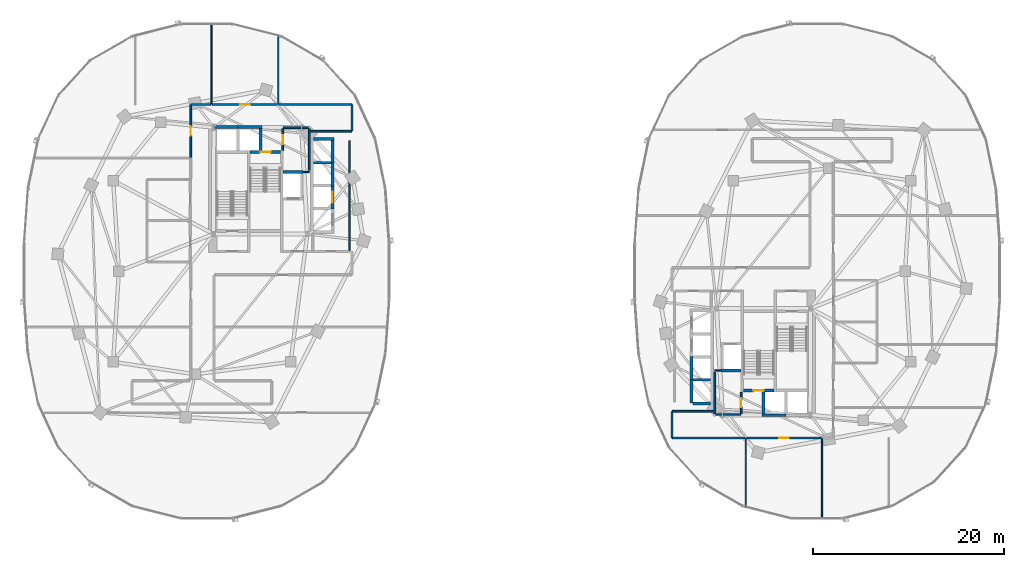
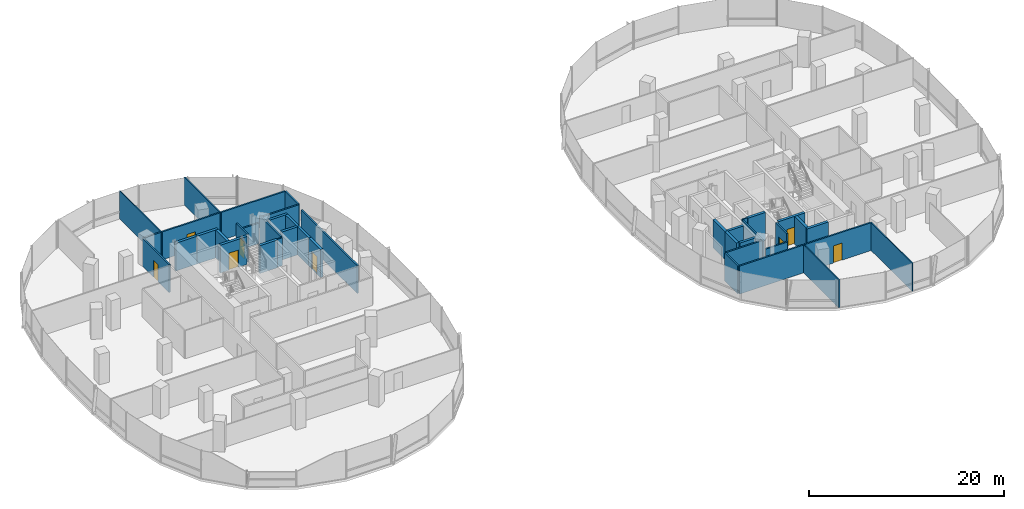
# One storey, part 12 of 21: 41 walls, 8 doors, 8 openings.
"""IFC4 building model written with IfcOpenShell, lengths in metres."""

import ifcopenshell
import ifcopenshell.guid

model = None  # the IFC model being written
_history = None  # IfcOwnerHistory: only IFC2X3 demands one
_inside = {}  # id of a spatial element -> (the spatial element, [elements in it])
_under = {}  # id of a project, library or spatial element -> (it, [spatial elements below it])
_declared = {}  # id of a project -> (the project, [libraries it declares])
_typed = {}  # id of a type object -> (the type object, [elements of that type])
_made_of = {}  # id of a material, layer set ... -> (it, [elements and type objects made of it])


def new_model(schema):
    """Start an empty IFC model of exactly this schema.

    Asked for "IFC4X3", IfcOpenShell would pick the latest addendum, in which some entities
    have other attributes; the version numbers below select the first issue.
    IFC2X3 requires an IfcOwnerHistory on every rooted entity: one is made here for all.
    """
    global model, _history
    if schema == "IFC4X3":
        model = ifcopenshell.file(schema_version=(4, 3, 0, 0))
    else:
        model = ifcopenshell.file(schema=schema)
    _inside.clear()
    _under.clear()
    _declared.clear()
    _typed.clear()
    _made_of.clear()
    _history = None
    if model.schema == "IFC2X3":
        org = make("IfcOrganization", Name="unknown")
        user = make(
            "IfcPersonAndOrganization",
            ThePerson=make("IfcPerson", FamilyName="unknown"),
            TheOrganization=org,
        )
        app = make(
            "IfcApplication",
            ApplicationDeveloper=org,
            Version="unknown",
            ApplicationFullName="unknown",
            ApplicationIdentifier="unknown",
        )
        _history = make(
            "IfcOwnerHistory",
            OwningUser=user,
            OwningApplication=app,
            ChangeAction="ADDED",
            CreationDate=0,
        )
    return model


def make(cls, **values):
    """One entity of the class cls with the attributes given. An attribute that is None is left unset."""
    return model.create_entity(
        cls, **{name: value for name, value in values.items() if value is not None}
    )


def rooted(cls, **values):
    """An entity with a GlobalId (a new one), such as an element, a storey or a relation."""
    return make(cls, GlobalId=ifcopenshell.guid.new(), OwnerHistory=_history, **values)


def si_unit(unit_type, name, prefix=None):
    """IfcSIUnit, for example si_unit("LENGTHUNIT", "METRE", prefix="MILLI")."""
    return make("IfcSIUnit", UnitType=unit_type, Prefix=prefix, Name=name)


def assignment(units):
    """IfcUnitAssignment: the units of a project."""
    return None if units is None else make("IfcUnitAssignment", Units=units)


def point(xyz):
    """IfcCartesianPoint."""
    return None if xyz is None else make("IfcCartesianPoint", Coordinates=xyz)


def direction(xyz):
    """IfcDirection."""
    return None if xyz is None else make("IfcDirection", DirectionRatios=xyz)


def frame(location, z_axis=None, x_axis=None):
    """IfcAxis2Placement3D, a coordinate frame: its origin and axes. An axis left out is left unset."""
    return make(
        "IfcAxis2Placement3D",
        Location=point(location),
        Axis=direction(z_axis),
        RefDirection=direction(x_axis),
    )


def frame_2d(location, x_axis=None):
    """IfcAxis2Placement2D, a coordinate frame in the plane: its origin and x axis."""
    return make(
        "IfcAxis2Placement2D", Location=point(location), RefDirection=direction(x_axis)
    )


def origin():
    """The frame at (0, 0, 0) with its axes left unset."""
    return frame((0.0, 0.0, 0.0))


def place(relative_to, where):
    """IfcLocalPlacement: puts the frame where relative to a parent placement (None: the world)."""
    return make(
        "IfcLocalPlacement", PlacementRelTo=relative_to, RelativePlacement=where
    )


def context(
    kind, dimensions, precision=None, world=None, true_north=None, identifier=None
):
    """IfcGeometricRepresentationContext, for example the 3D "Model" context."""
    return make(
        "IfcGeometricRepresentationContext",
        ContextIdentifier=identifier,
        ContextType=kind,
        CoordinateSpaceDimension=dimensions,
        Precision=precision,
        WorldCoordinateSystem=world,
        TrueNorth=true_north,
    )


def subcontext(parent, identifier, kind, view, scale=None):
    """IfcGeometricRepresentationSubContext, for example "Body" below "Model"."""
    return make(
        "IfcGeometricRepresentationSubContext",
        ContextIdentifier=identifier,
        ContextType=kind,
        ParentContext=parent,
        TargetScale=scale,
        TargetView=view,
    )


def project(units=None, contexts=None):
    """IfcProject with its units and contexts."""
    return rooted(
        "IfcProject",
        Name="project",
        RepresentationContexts=contexts,
        UnitsInContext=assignment(units),
    )


def spatial(cls, under=None, at=None, **own):
    """A site, building, storey or space (cls), placed at a placement, below another one or the project."""
    s = rooted(cls, ObjectPlacement=at, **own)
    if under is not None:
        _under.setdefault(under.id(), (under, []))[1].append(s)
    return s


def profile(cls, at=None, kind="AREA", **sizes):
    """A parametric profile (cls). Its sizes go by their IFC names, for example OverallWidth=200.0."""
    return make(cls, ProfileType=kind, Position=at, **sizes)


def rectangle(**sizes):
    """IfcRectangleProfileDef."""
    return profile("IfcRectangleProfileDef", **sizes)


def extrude(swept, where, along, depth):
    """IfcExtrudedAreaSolid: the profile swept, set in the frame where, extruded along a direction by depth."""
    return make(
        "IfcExtrudedAreaSolid",
        SweptArea=swept,
        Position=where,
        ExtrudedDirection=direction(along),
        Depth=depth,
    )


def shape(context_of_items, identifier, shape_type, items):
    """IfcShapeRepresentation: the items that make up one representation, for example the "Body"."""
    return make(
        "IfcShapeRepresentation",
        ContextOfItems=context_of_items,
        RepresentationIdentifier=identifier,
        RepresentationType=shape_type,
        Items=items,
    )


def material(Name=None, Category=None):
    """IfcMaterial."""
    return make("IfcMaterial", Name=Name, Category=Category)


def layer(
    of_material, thickness, ventilated=None, Name=None, Category=None, Priority=None
):
    """IfcMaterialLayer: one layer of a wall or slab, of a material (None: an air gap)."""
    return make(
        "IfcMaterialLayer",
        Material=of_material,
        LayerThickness=thickness,
        IsVentilated=ventilated,
        Name=Name,
        Category=Category,
        Priority=Priority,
    )


def layer_set(layers, Name=None):
    """IfcMaterialLayerSet."""
    return make("IfcMaterialLayerSet", MaterialLayers=layers, LayerSetName=Name)


def made_of(thing, what):
    """Note that an element or type object is made of a material, layer set ...; save() writes the relation."""
    if what is not None:
        _made_of.setdefault(what.id(), (what, []))[1].append(thing)
    return thing


def type_object(cls, material=None, **own):
    """A type object (cls), such as IfcWallType, which elements share."""
    return made_of(rooted(cls, **own), material)


def element(
    cls,
    number,
    at=None,
    inside=None,
    cuts=None,
    type_object=None,
    material=None,
    context=None,
    identifier="Body",
    shape_type=None,
    held_by="IfcProductDefinitionShape",
    body=None,
    shapes=None,
    **own,
):
    """One element of the class cls, such as IfcWall. Its Tag is "e" and its number.

    at: its placement. inside: the storey or other place that contains it. cuts: it is an
    opening in that element (IfcRelVoidsElement). A single representation is given by context,
    identifier, shape_type and body (its items); several are given by shapes. held_by: the class
    of the entity that holds the representations. save() writes the other relations.
    """
    e = rooted(cls, Tag="e%d" % number, ObjectPlacement=at, **own)
    if body is not None:
        shapes = [shape(context, identifier, shape_type, body)]
    if shapes is not None:
        e.Representation = make(held_by, Representations=shapes)
    if inside is not None:
        _inside.setdefault(inside.id(), (inside, []))[1].append(e)
    if cuts is not None:
        rooted(
            "IfcRelVoidsElement", RelatingBuildingElement=cuts, RelatedOpeningElement=e
        )
    if type_object is not None:
        _typed.setdefault(type_object.id(), (type_object, []))[1].append(e)
    return made_of(e, material)


def fill(opening, filler):
    """IfcRelFillsElement: the door or window that sits in an opening."""
    return rooted(
        "IfcRelFillsElement",
        RelatingOpeningElement=opening,
        RelatedBuildingElement=filler,
    )


def aggregate(whole, parts):
    """IfcRelAggregates: a whole, such as a stair, and the parts it consists of."""
    return rooted("IfcRelAggregates", RelatingObject=whole, RelatedObjects=parts)


def save(model, path):
    """Write the relations noted so far, then the file.

    IfcRelAggregates (storeys below a building ...), IfcRelContainedInSpatialStructure (elements
    in a storey), IfcRelDefinesByType, IfcRelAssociatesMaterial and IfcRelDeclares: one each for
    every whole, place, type object, material and project.
    """
    for whole, parts in _under.values():
        aggregate(whole, parts)
    for where, things in _inside.values():
        rooted(
            "IfcRelContainedInSpatialStructure",
            RelatedElements=things,
            RelatingStructure=where,
        )
    for kind, things in _typed.values():
        rooted("IfcRelDefinesByType", RelatedObjects=things, RelatingType=kind)
    for what, things in _made_of.values():
        rooted("IfcRelAssociatesMaterial", RelatedObjects=things, RelatingMaterial=what)
    for by, libraries in _declared.values():
        rooted("IfcRelDeclares", RelatingContext=by, RelatedDefinitions=libraries)
    model.write(path)


model = new_model("IFC4")

# Units and contexts
model_context = context("Model", 3, precision=1e-05, world=origin(), true_north=direction((0.0, 1.0)))
body_context = subcontext(model_context, "Body", "Model", "MODEL_VIEW")
ifc_project = project(units=[si_unit("LENGTHUNIT", "METRE"), si_unit("AREAUNIT", "SQUARE_METRE"), si_unit("VOLUMEUNIT", "CUBIC_METRE"), si_unit("PLANEANGLEUNIT", "RADIAN"), si_unit("MASSUNIT", "GRAM", prefix="KILO"), si_unit("THERMODYNAMICTEMPERATUREUNIT", "KELVIN"), si_unit("POWERUNIT", "WATT")], contexts=[model_context])

# Site, building, storey
site_placement = place(None, origin())
site = spatial("IfcSite", under=ifc_project, at=site_placement, CompositionType="ELEMENT")
building_placement = place(site_placement, origin())
building = spatial("IfcBuilding", under=site, at=building_placement, Name="Cundina Bronze Exchange", CompositionType="ELEMENT")
storey_placement = place(building_placement, frame((0.0, 0.0, 62.0)))
storey = spatial("IfcBuildingStorey", under=building, at=storey_placement, Name="L15", CompositionType="ELEMENT", Elevation=62.0)

# Walls
ifc_material_1 = material(Name="Gypsum Fireboard Partition EI120")
ifc_layer_1 = layer(ifc_material_1, 0.179931640625, Name="Gypsum Fireboard Partition EI120")
ifc_layer_set_1 = layer_set([ifc_layer_1], Name="Gypsum Fireboard Partition EI120")
wall_type_1 = type_object("IfcWallType", Name="WL-COR-180", PredefinedType="PARTITIONING", material=ifc_layer_set_1)
wall_1_placement = place(storey_placement, frame((-17.02001953125, 2.169921875, 0.0), z_axis=(0.0, 0.0, 1.0), x_axis=(0.0, 1.0, 0.0)))
element("IfcWall", 1, at=wall_1_placement, inside=storey, type_object=wall_type_1, Name="L15 Interior Partition 001", PredefinedType="PARTITIONING", context=body_context, shape_type="SweptSolid", body=[
    extrude(rectangle(XDim=11.510009765625, YDim=0.179931640625, at=frame_2d((5.7548828125, 0.0))), origin(), (0.0, 0.0, 1.0), 3.5),
])
wall_2_placement = place(storey_placement, frame((-21.25, 10.570068359375, 0.0), z_axis=(0.0, 0.0, 1.0), x_axis=(0.0, 1.0, 0.0)))
element("IfcWall", 2, at=wall_2_placement, inside=storey, type_object=wall_type_1, Name="L15 Interior Partition 004", PredefinedType="PARTITIONING", context=body_context, shape_type="SweptSolid", body=[
    extrude(rectangle(XDim=4.35986328125, YDim=0.179931640625, at=frame_2d((2.179931640625, 0.0))), origin(), (0.0, 0.0, 1.0), 3.5),
])
wall_3_placement = place(storey_placement, frame((-23.9599609375, 15.030029296875, 0.0), z_axis=(0.0, 0.0, 1.0), x_axis=(1.0, 0.0, 0.0)))
element("IfcWall", 3, at=wall_3_placement, inside=storey, type_object=wall_type_1, Name="L15 Interior Partition 005", PredefinedType="PARTITIONING", context=body_context, shape_type="SweptSolid", body=[
    extrude(rectangle(XDim=2.60986328125, YDim=0.179931640625, at=frame_2d((1.304931640625, 0.0))), origin(), (0.0, 0.0, 1.0), 2.572998046875),
])

# Wall, opening, door
wall_4_placement = place(storey_placement, frame((-24.02001953125, 12.669921875, 0.0), z_axis=(0.0, 0.0, 1.0), x_axis=(0.0, 1.0, 0.0)))
wall_4 = element("IfcWall", 4, at=wall_4_placement, inside=storey, type_object=wall_type_1, Name="L15 Interior Partition 006", PredefinedType="PARTITIONING", context=body_context, shape_type="SweptSolid", body=[
    extrude(rectangle(XDim=2.260009765625, YDim=0.179931640625, at=frame_2d((1.1298828125, 0.0))), origin(), (0.0, 0.0, 1.0), 3.5),
])
opening_1_placement = place(wall_4_placement, frame((0.655029296875, 0.0, 0.0)))
opening_1 = element("IfcOpeningElement", 5, at=opening_1_placement, cuts=wall_4, Name="Opening DW-01", PredefinedType="OPENING", context=body_context, shape_type="SweptSolid", body=[
    extrude(rectangle(XDim=0.949951171875, YDim=2.10009765625, at=frame_2d((0.47509765625, 1.050048828125))), frame((0.0, 0.099853515625, 0.0), z_axis=(0.0, -1.0, 0.0), x_axis=(1.0, 0.0, 0.0)), (0.0, 0.0, 1.0), 0.199951171875),
])
ifc_material_2 = material(Name="Solid Andean Oak Timber Grade A", Category="wood")
door_type_1 = type_object("IfcDoorType", Name="DR-WC-950", OperationType="NOTDEFINED", PredefinedType="DOOR", material=ifc_material_2)
door_1_placement = place(opening_1_placement, origin())
door_1 = element("IfcDoor", 6, at=door_1_placement, inside=storey, type_object=door_type_1, Name="L15 Interior Door 006", OperationType="SINGLE_SWING_RIGHT", OverallHeight=2.10009765625, OverallWidth=0.949951171875, PredefinedType="DOOR", context=body_context, shape_type="SweptSolid", body=[
    extrude(rectangle(XDim=0.949951171875, YDim=2.10009765625, at=frame_2d((0.47509765625, 1.050048828125))), frame((0.0, 0.02490234375, 0.0), z_axis=(0.0, -1.0, 0.0), x_axis=(1.0, 0.0, 0.0)), (0.0, 0.0, 1.0), 0.050048828125),
])
fill(opening_1, door_1)

# Walls
wall_5_placement = place(storey_placement, frame((-16.821533203125, 17.469970703125, 0.0), z_axis=(0.0, 0.0, 1.0), x_axis=(-1.0, 0.0, 0.0)))
element("IfcWall", 7, at=wall_5_placement, inside=storey, type_object=wall_type_1, Name="L15 Interior Partition 030", PredefinedType="PARTITIONING", context=body_context, shape_type="SweptSolid", body=[
    extrude(rectangle(XDim=7.58837890625, YDim=0.179931640625, at=frame_2d((3.794189453125, 0.0))), origin(), (0.0, 0.0, 1.0), 3.5),
])
wall_6_placement = place(storey_placement, frame((-21.178466796875, 14.679931640625, 0.0), z_axis=(0.0, 0.0, 1.0), x_axis=(1.0, 0.0, 0.0)))
element("IfcWall", 8, at=wall_6_placement, inside=storey, type_object=wall_type_1, Name="L15 Interior Partition 032", PredefinedType="PARTITIONING", context=body_context, shape_type="SweptSolid", body=[
    extrude(rectangle(XDim=4.35693359375, YDim=0.179931640625, at=frame_2d((2.178466796875, 0.0))), origin(), (0.0, 0.0, 1.0), 3.5),
])
wall_7_placement = place(storey_placement, frame((-16.780029296875, 14.721435546875, 0.0), z_axis=(0.0, 0.0, 1.0), x_axis=(0.0, 1.0, 0.0)))
element("IfcWall", 9, at=wall_7_placement, inside=storey, type_object=wall_type_1, Name="L15 Interior Partition 033", PredefinedType="PARTITIONING", context=body_context, shape_type="SweptSolid", body=[
    extrude(rectangle(XDim=2.70703125, YDim=0.179931640625, at=frame_2d((1.353515625, 0.0))), origin(), (0.0, 0.0, 1.0), 3.5),
])

# Wall, opening, door
wall_8_placement = place(storey_placement, frame((-33.669921875, 17.428466796875, 0.0), z_axis=(0.0, 0.0, 1.0), x_axis=(0.0, -1.0, 0.0)))
wall_8 = element("IfcWall", 10, at=wall_8_placement, inside=storey, type_object=wall_type_1, Name="L15 Interior Partition 035", PredefinedType="PARTITIONING", context=body_context, shape_type="SweptSolid", body=[
    extrude(rectangle(XDim=5.45849609375, YDim=0.179931640625, at=frame_2d((2.729248046875, 0.0))), origin(), (0.0, 0.0, 1.0), 3.5),
])
opening_2_placement = place(wall_8_placement, frame((2.229248046875, 0.0, 0.0)))
opening_2 = element("IfcOpeningElement", 11, at=opening_2_placement, cuts=wall_8, Name="Opening DO-01", PredefinedType="OPENING", context=body_context, shape_type="SweptSolid", body=[
    extrude(rectangle(XDim=1.0, YDim=2.14990234375, at=frame_2d((0.5, 1.074951171875))), frame((0.0, 0.099853515625, 0.0), z_axis=(0.0, -1.0, 0.0), x_axis=(1.0, 0.0, 0.0)), (0.0, 0.0, 1.0), 0.199951171875),
])
door_type_2 = type_object("IfcDoorType", Name="DR-OFF-1000", OperationType="NOTDEFINED", PredefinedType="DOOR", material=ifc_material_2)
door_2_placement = place(opening_2_placement, origin())
door_2 = element("IfcDoor", 12, at=door_2_placement, inside=storey, type_object=door_type_2, Name="L15 Interior Door 035", OperationType="SINGLE_SWING_LEFT", OverallHeight=2.14990234375, OverallWidth=1.0, PredefinedType="DOOR", context=body_context, shape_type="SweptSolid", body=[
    extrude(rectangle(XDim=1.0, YDim=2.14990234375, at=frame_2d((0.5, 1.074951171875))), frame((0.0, 0.02490234375, 0.0), z_axis=(0.0, -1.0, 0.0), x_axis=(1.0, 0.0, 0.0)), (0.0, 0.0, 1.0), 0.050048828125),
])
fill(opening_2, door_2)

# Wall
wall_9_placement = place(storey_placement, frame((-31.590087890625, 17.469970703125, 0.0), z_axis=(0.0, 0.0, 1.0), x_axis=(-1.0, 0.0, 0.0)))
element("IfcWall", 13, at=wall_9_placement, inside=storey, type_object=wall_type_1, Name="L15 Interior Partition 036", PredefinedType="PARTITIONING", context=body_context, shape_type="SweptSolid", body=[
    extrude(rectangle(XDim=2.038330078125, YDim=0.179931640625, at=frame_2d((1.01904296875, 0.0))), origin(), (0.0, 0.0, 1.0), 3.5),
])

# Wall, opening, door
wall_10_placement = place(storey_placement, frame((-24.590087890625, 17.469970703125, 0.0), z_axis=(0.0, 0.0, 1.0), x_axis=(-1.0, 0.0, 0.0)))
wall_10 = element("IfcWall", 14, at=wall_10_placement, inside=storey, type_object=wall_type_1, Name="L15 Interior Partition 037", PredefinedType="PARTITIONING", context=body_context, shape_type="SweptSolid", body=[
    extrude(rectangle(XDim=6.81982421875, YDim=0.179931640625, at=frame_2d((3.409912109375, 0.0))), origin(), (0.0, 0.0, 1.0), 3.5),
])
opening_3_placement = place(wall_10_placement, frame((2.909912109375, 0.0, 0.0)))
opening_3 = element("IfcOpeningElement", 15, at=opening_3_placement, cuts=wall_10, Name="Opening DO-01", PredefinedType="OPENING", context=body_context, shape_type="SweptSolid", body=[
    extrude(rectangle(XDim=1.0, YDim=2.14990234375, at=frame_2d((0.5, 1.074951171875))), frame((0.0, 0.099853515625, 0.0), z_axis=(0.0, -1.0, 0.0), x_axis=(1.0, 0.0, 0.0)), (0.0, 0.0, 1.0), 0.199951171875),
])
door_3_placement = place(opening_3_placement, origin())
door_3 = element("IfcDoor", 16, at=door_3_placement, inside=storey, type_object=door_type_2, Name="L15 Interior Door 037", OperationType="SINGLE_SWING_RIGHT", OverallHeight=2.14990234375, OverallWidth=1.0, PredefinedType="DOOR", context=body_context, shape_type="SweptSolid", body=[
    extrude(rectangle(XDim=1.0, YDim=2.14990234375, at=frame_2d((0.5, 1.074951171875))), frame((0.0, 0.02490234375, 0.0), z_axis=(0.0, -1.0, 0.0), x_axis=(1.0, 0.0, 0.0)), (0.0, 0.0, 1.0), 0.050048828125),
])
fill(opening_3, door_3)

# Walls
wall_11_placement = place(storey_placement, frame((21.25, -14.929931640625, 0.0), z_axis=(0.0, 0.0, 1.0), x_axis=(0.0, 1.0, 0.0)))
element("IfcWall", 17, at=wall_11_placement, inside=storey, type_object=wall_type_1, Name="L15 Interior Partition 042", PredefinedType="PARTITIONING", context=body_context, shape_type="SweptSolid", body=[
    extrude(rectangle(XDim=4.35986328125, YDim=0.179931640625, at=frame_2d((2.179931640625, 0.0))), origin(), (0.0, 0.0, 1.0), 3.5),
])
wall_12_placement = place(storey_placement, frame((21.35009765625, -15.030029296875, 0.0), z_axis=(0.0, 0.0, 1.0), x_axis=(1.0, 0.0, 0.0)))
element("IfcWall", 18, at=wall_12_placement, inside=storey, type_object=wall_type_1, Name="L15 Interior Partition 043", PredefinedType="PARTITIONING", context=body_context, shape_type="SweptSolid", body=[
    extrude(rectangle(XDim=2.60986328125, YDim=0.179931640625, at=frame_2d((1.304931640625, 0.0))), origin(), (0.0, 0.0, 1.0), 2.572998046875),
])

# Wall, opening, door
wall_13_placement = place(storey_placement, frame((24.02001953125, -14.929931640625, 0.0), z_axis=(0.0, 0.0, 1.0), x_axis=(0.0, 1.0, 0.0)))
wall_13 = element("IfcWall", 19, at=wall_13_placement, inside=storey, type_object=wall_type_1, Name="L15 Interior Partition 044", PredefinedType="PARTITIONING", context=body_context, shape_type="SweptSolid", body=[
    extrude(rectangle(XDim=2.260009765625, YDim=0.179931640625, at=frame_2d((1.1298828125, 0.0))), origin(), (0.0, 0.0, 1.0), 3.5),
])
opening_4_placement = place(wall_13_placement, frame((0.655029296875, 0.0, 0.0)))
opening_4 = element("IfcOpeningElement", 20, at=opening_4_placement, cuts=wall_13, Name="Opening DW-01", PredefinedType="OPENING", context=body_context, shape_type="SweptSolid", body=[
    extrude(rectangle(XDim=0.949951171875, YDim=2.10009765625, at=frame_2d((0.47509765625, 1.050048828125))), frame((0.0, 0.099853515625, 0.0), z_axis=(0.0, -1.0, 0.0), x_axis=(1.0, 0.0, 0.0)), (0.0, 0.0, 1.0), 0.199951171875),
])
door_4_placement = place(opening_4_placement, origin())
door_4 = element("IfcDoor", 21, at=door_4_placement, inside=storey, type_object=door_type_1, Name="L15 Interior Door 044", OperationType="SINGLE_SWING_LEFT", OverallHeight=2.10009765625, OverallWidth=0.949951171875, PredefinedType="DOOR", context=body_context, shape_type="SweptSolid", body=[
    extrude(rectangle(XDim=0.949951171875, YDim=2.10009765625, at=frame_2d((0.47509765625, 1.050048828125))), frame((0.0, 0.02490234375, 0.0), z_axis=(0.0, -1.0, 0.0), x_axis=(1.0, 0.0, 0.0)), (0.0, 0.0, 1.0), 0.050048828125),
])
fill(opening_4, door_4)

wall_14_placement = place(storey_placement, frame((24.590087890625, -17.469970703125, 0.0), z_axis=(0.0, 0.0, 1.0), x_axis=(1.0, 0.0, 0.0)))
wall_14 = element("IfcWall", 22, at=wall_14_placement, inside=storey, type_object=wall_type_1, Name="L15 Interior Partition 060", PredefinedType="PARTITIONING", context=body_context, shape_type="SweptSolid", body=[
    extrude(rectangle(XDim=7.81982421875, YDim=0.179931640625, at=frame_2d((3.909912109375, 0.0))), origin(), (0.0, 0.0, 1.0), 3.5),
])
opening_5_placement = place(wall_14_placement, frame((3.409912109375, 0.0, 0.0)))
opening_5 = element("IfcOpeningElement", 23, at=opening_5_placement, cuts=wall_14, Name="Opening DO-01", PredefinedType="OPENING", context=body_context, shape_type="SweptSolid", body=[
    extrude(rectangle(XDim=1.0, YDim=2.14990234375, at=frame_2d((0.5, 1.074951171875))), frame((0.0, 0.099853515625, 0.0), z_axis=(0.0, -1.0, 0.0), x_axis=(1.0, 0.0, 0.0)), (0.0, 0.0, 1.0), 0.199951171875),
])
door_5_placement = place(opening_5_placement, origin())
door_5 = element("IfcDoor", 24, at=door_5_placement, inside=storey, type_object=door_type_2, Name="L15 Interior Door 060", OperationType="SINGLE_SWING_LEFT", OverallHeight=2.14990234375, OverallWidth=1.0, PredefinedType="DOOR", context=body_context, shape_type="SweptSolid", body=[
    extrude(rectangle(XDim=1.0, YDim=2.14990234375, at=frame_2d((0.5, 1.074951171875))), frame((0.0, 0.02490234375, 0.0), z_axis=(0.0, -1.0, 0.0), x_axis=(1.0, 0.0, 0.0)), (0.0, 0.0, 1.0), 0.050048828125),
])
fill(opening_5, door_5)

# Walls
wall_15_placement = place(storey_placement, frame((16.821533203125, -17.469970703125, 0.0), z_axis=(0.0, 0.0, 1.0), x_axis=(1.0, 0.0, 0.0)))
element("IfcWall", 25, at=wall_15_placement, inside=storey, type_object=wall_type_1, Name="L15 Interior Partition 065", PredefinedType="PARTITIONING", context=body_context, shape_type="SweptSolid", body=[
    extrude(rectangle(XDim=7.58837890625, YDim=0.179931640625, at=frame_2d((3.794189453125, 0.0))), origin(), (0.0, 0.0, 1.0), 3.5),
])
wall_16_placement = place(storey_placement, frame((21.178466796875, -14.679931640625, 0.0), z_axis=(0.0, 0.0, 1.0), x_axis=(-1.0, 0.0, 0.0)))
element("IfcWall", 26, at=wall_16_placement, inside=storey, type_object=wall_type_1, Name="L15 Interior Partition 067", PredefinedType="PARTITIONING", context=body_context, shape_type="SweptSolid", body=[
    extrude(rectangle(XDim=4.35693359375, YDim=0.179931640625, at=frame_2d((2.178466796875, 0.0))), origin(), (0.0, 0.0, 1.0), 3.5),
])
wall_17_placement = place(storey_placement, frame((16.780029296875, -14.721435546875, 0.0), z_axis=(0.0, 0.0, 1.0), x_axis=(0.0, -1.0, 0.0)))
element("IfcWall", 27, at=wall_17_placement, inside=storey, type_object=wall_type_1, Name="L15 Interior Partition 068", PredefinedType="PARTITIONING", context=body_context, shape_type="SweptSolid", body=[
    extrude(rectangle(XDim=2.70703125, YDim=0.179931640625, at=frame_2d((1.353515625, 0.0))), origin(), (0.0, 0.0, 1.0), 3.5),
])
ifc_material_3 = material(Name="Gypsum Acoustic Partition EI60")
ifc_layer_2 = layer(ifc_material_3, 0.125, Name="Gypsum Acoustic Partition EI60")
ifc_layer_set_2 = layer_set([ifc_layer_2], Name="Gypsum Acoustic Partition EI60")
wall_type_2 = type_object("IfcWallType", Name="WL-OFF-125", PredefinedType="PARTITIONING", material=ifc_layer_set_2)
wall_18_placement = place(storey_placement, frame((-31.5, 17.5, 0.0), z_axis=(0.0, 0.0, 1.0), x_axis=(0.0, 1.0, 0.0)))
element("IfcWall", 28, at=wall_18_placement, inside=storey, type_object=wall_type_2, Name="L15 Interior Partition 018", PredefinedType="PARTITIONING", context=body_context, shape_type="SweptSolid", body=[
    extrude(rectangle(XDim=8.485107421875, YDim=0.125, at=frame_2d((4.24267578125, 0.0))), origin(), (0.0, 0.0, 1.0), 3.5),
])
for number, where, z_axis, x_axis, name in (
    (29, (-24.5, 17.5, 0.0), (0.0, 0.0, 1.0), (0.0, 1.0, 0.0), "L15 Interior Partition 019"),
    (30, (24.5, -24.772216796875, 0.0), (0.0, 0.0, 1.0), (0.0, 1.0, 0.0), "L15 Interior Partition 057"),
):
    element("IfcWall", number, at=place(storey_placement, frame(where, z_axis=z_axis, x_axis=x_axis)), inside=storey, type_object=wall_type_2, Name=name, PredefinedType="PARTITIONING", context=body_context, shape_type="SweptSolid", body=[
        extrude(rectangle(XDim=7.272216796875, YDim=0.125, at=frame_2d((3.63623046875, 0.0))), origin(), (0.0, 0.0, 1.0), 3.5),
    ])
wall_19_placement = place(storey_placement, frame((32.5, -25.985107421875, 0.0), z_axis=(0.0, 0.0, 1.0), x_axis=(0.0, 1.0, 0.0)))
element("IfcWall", 31, at=wall_19_placement, inside=storey, type_object=wall_type_2, Name="L15 Interior Partition 058", PredefinedType="PARTITIONING", context=body_context, shape_type="SweptSolid", body=[
    extrude(rectangle(XDim=8.485107421875, YDim=0.125, at=frame_2d((4.24267578125, 0.0))), origin(), (0.0, 0.0, 1.0), 3.5),
])

# Wall, opening, door
ifc_material_4 = material(Name="Concrete C50/60", Category="concrete")
ifc_layer_3 = layer(ifc_material_4, 0.300048828125, Name="Concrete C50/60", Category="concrete")
ifc_layer_set_3 = layer_set([ifc_layer_3], Name="Concrete C50/60")
wall_type_3 = type_object("IfcWallType", Name="WL-SHFT-300", PredefinedType="SHEAR", material=ifc_layer_set_3)
wall_20_placement = place(storey_placement, frame((-27.43994140625, 12.5, 0.0), z_axis=(0.0, 0.0, 1.0), x_axis=(1.0, 0.0, 0.0)))
wall_20 = element("IfcWall", 32, at=wall_20_placement, inside=storey, type_object=wall_type_3, Name="L15 Stair W2 Landing Wall", PredefinedType="SHEAR", context=body_context, shape_type="SweptSolid", body=[
    extrude(rectangle(XDim=3.159912109375, YDim=0.300048828125, at=frame_2d((1.580078125, 0.0))), origin(), (0.0, 0.0, 1.0), 3.5),
])
opening_6_placement = place(wall_20_placement, frame((1.030029296875, 0.0, 0.0)))
opening_6 = element("IfcOpeningElement", 33, at=opening_6_placement, cuts=wall_20, Name="Opening DS-01", PredefinedType="OPENING", context=body_context, shape_type="SweptSolid", body=[
    extrude(rectangle(XDim=1.10009765625, YDim=2.14990234375, at=frame_2d((0.550048828125, 1.074951171875))), frame((0.0, 0.159912109375, 0.0), z_axis=(0.0, -1.0, 0.0), x_axis=(1.0, 0.0, 0.0)), (0.0, 0.0, 1.0), 0.320068359375),
])
ifc_material_5 = material(Name="Steel ASTM A36 Painted", Category="steel")
door_type_3 = type_object("IfcDoorType", Name="DR-STR-1100", OperationType="NOTDEFINED", PredefinedType="DOOR", material=ifc_material_5)
door_6_placement = place(opening_6_placement, origin())
door_6 = element("IfcDoor", 34, at=door_6_placement, inside=storey, type_object=door_type_3, Name="L15 Smokeproof Stair W2 Door", OperationType="SINGLE_SWING_LEFT", OverallHeight=2.14990234375, OverallWidth=1.10009765625, PredefinedType="DOOR", context=body_context, shape_type="SweptSolid", body=[
    extrude(rectangle(XDim=1.10009765625, YDim=2.14990234375, at=frame_2d((0.550048828125, 1.074951171875))), frame((0.0, 0.02490234375, 0.0), z_axis=(0.0, -1.0, 0.0), x_axis=(1.0, 0.0, 0.0)), (0.0, 0.0, 1.0), 0.050048828125),
])
fill(opening_6, door_6)

# Walls
wall_21_placement = place(storey_placement, frame((-23.97998046875, 10.39990234375, 0.0), z_axis=(0.0, 0.0, 1.0), x_axis=(1.0, 0.0, 0.0)))
element("IfcWall", 35, at=wall_21_placement, inside=storey, type_object=wall_type_3, Name="L15 FFL-W Hoistway Back Wall", PredefinedType="SHEAR", context=body_context, shape_type="SweptSolid", body=[
    extrude(rectangle(XDim=2.10009765625, YDim=0.300048828125, at=frame_2d((1.050048828125, 0.0))), origin(), (0.0, 0.0, 1.0), 3.5),
])
for number, where, z_axis, x_axis, name in (
    (36, (-31.199951171875, 15.10009765625, 0.0), (0.0, 0.0, 1.0), (1.0, 0.0, 0.0), "L15 PH-W1 Hoistway Front Wall"),
    (37, (-28.699951171875, 15.10009765625, 0.0), (0.0, 0.0, 1.0), (1.0, 0.0, 0.0), "L15 PH-W2 Hoistway Front Wall"),
):
    element("IfcWall", number, at=place(storey_placement, frame(where, z_axis=z_axis, x_axis=x_axis)), inside=storey, type_object=wall_type_3, Name=name, PredefinedType="SHEAR", context=body_context, shape_type="SweptSolid", body=[
        extrude(rectangle(XDim=2.5, YDim=0.300048828125, at=frame_2d((1.25, 0.0))), origin(), (0.0, 0.0, 1.0), 3.5),
    ])
wall_22_placement = place(storey_placement, frame((-26.35009765625, 12.64990234375, 0.0), z_axis=(0.0, 0.0, 1.0), x_axis=(0.0, 1.0, 0.0)))
element("IfcWall", 38, at=wall_22_placement, inside=storey, type_object=wall_type_3, Name="L15 PH-W2 Hoistway Divider Wall", PredefinedType="SHEAR", context=body_context, shape_type="SweptSolid", body=[
    extrude(rectangle(XDim=2.300048828125, YDim=0.300048828125, at=frame_2d((1.14990234375, 0.0))), origin(), (0.0, 0.0, 1.0), 3.5),
])
wall_23_placement = place(storey_placement, frame((-20.800048828125, 13.85009765625, 0.0), z_axis=(0.0, 0.0, 1.0), x_axis=(1.0, 0.0, 0.0)))
element("IfcWall", 39, at=wall_23_placement, inside=storey, type_object=wall_type_3, Name="L15 W Passenger Bank North Cap Wall", PredefinedType="SHEAR", context=body_context, shape_type="SweptSolid", body=[
    extrude(rectangle(XDim=2.150146484375, YDim=0.300048828125, at=frame_2d((1.0751953125, 0.0))), origin(), (0.0, 0.0, 1.0), 3.5),
])
wall_24_placement = place(storey_placement, frame((-20.800048828125, 11.375, 0.0), z_axis=(0.0, 0.0, 1.0), x_axis=(1.0, 0.0, 0.0)))
element("IfcWall", 40, at=wall_24_placement, inside=storey, type_object=wall_type_3, Name="L15 W Passenger Hoistway Divider 3", PredefinedType="SHEAR", context=body_context, shape_type="SweptSolid", body=[
    extrude(rectangle(XDim=1.85009765625, YDim=0.300048828125, at=frame_2d((0.925048828125, 0.0))), origin(), (0.0, 0.0, 1.0), 3.5),
])

# Wall, opening, door
wall_25_placement = place(storey_placement, frame((-18.800048828125, 6.530029296875, 0.0), z_axis=(0.0, 0.0, 1.0), x_axis=(0.0, 1.0, 0.0)))
wall_25 = element("IfcWall", 41, at=wall_25_placement, inside=storey, type_object=wall_type_3, Name="L15 PL-W1 Hoistway Front Wall", PredefinedType="SHEAR", context=body_context, shape_type="SweptSolid", body=[
    extrude(rectangle(XDim=2.489990234375, YDim=0.300048828125, at=frame_2d((1.2451171875, 0.0))), origin(), (0.0, 0.0, 1.0), 3.5),
])
opening_7_placement = place(wall_25_placement, frame((0.669921875, 0.0, 0.0)))
opening_7 = element("IfcOpeningElement", 42, at=opening_7_placement, cuts=wall_25, Name="Opening LD-01", PredefinedType="OPENING", context=body_context, shape_type="SweptSolid", body=[
    extrude(rectangle(XDim=1.14990234375, YDim=2.199951171875, at=frame_2d((0.574951171875, 1.10009765625))), frame((0.0, 0.159912109375, 0.0), z_axis=(0.0, -1.0, 0.0), x_axis=(1.0, 0.0, 0.0)), (0.0, 0.0, 1.0), 0.320068359375),
])
door_type_4 = type_object("IfcDoorType", Name="DR-LND-1150", OperationType="NOTDEFINED", PredefinedType="TRAPDOOR", material=ifc_material_5)
door_7_placement = place(opening_7_placement, origin())
door_7 = element("IfcDoor", 43, at=door_7_placement, inside=storey, type_object=door_type_4, Name="L15 PL-W1 Sliding Landing Door", OperationType="SLIDING_TO_LEFT", OverallHeight=2.199951171875, OverallWidth=1.14990234375, PredefinedType="TRAPDOOR", context=body_context, shape_type="SweptSolid", body=[
    extrude(rectangle(XDim=1.14990234375, YDim=2.199951171875, at=frame_2d((0.574951171875, 1.10009765625))), frame((0.0, 0.02490234375, 0.0), z_axis=(0.0, -1.0, 0.0), x_axis=(1.0, 0.0, 0.0)), (0.0, 0.0, 1.0), 0.050048828125),
])
fill(opening_7, door_7)

# Walls
for number, where, z_axis, x_axis, name in (
    (44, (-18.800048828125, 8.929931640625, 0.0), (0.0, 0.0, 1.0), (0.0, 1.0, 0.0), "L15 PM-W2 Hoistway Front Wall"),
    (45, (-18.800048828125, 11.330078125, 0.0), (0.0, 0.0, 1.0), (0.0, 1.0, 0.0), "L15 PM-W1 Hoistway Front Wall"),
):
    element("IfcWall", number, at=place(storey_placement, frame(where, z_axis=z_axis, x_axis=x_axis)), inside=storey, type_object=wall_type_3, Name=name, PredefinedType="SHEAR", context=body_context, shape_type="SweptSolid", body=[
        extrude(rectangle(XDim=2.489990234375, YDim=0.300048828125, at=frame_2d((1.2451171875, 0.0))), origin(), (0.0, 0.0, 1.0), 3.5),
    ])

# Wall, opening, door
wall_26_placement = place(storey_placement, frame((24.280029296875, -12.5, 0.0), z_axis=(0.0, 0.0, 1.0), x_axis=(1.0, 0.0, 0.0)))
wall_26 = element("IfcWall", 46, at=wall_26_placement, inside=storey, type_object=wall_type_3, Name="L15 Stair E2 Landing Wall", PredefinedType="SHEAR", context=body_context, shape_type="SweptSolid", body=[
    extrude(rectangle(XDim=3.159912109375, YDim=0.300048828125, at=frame_2d((1.580078125, 0.0))), origin(), (0.0, 0.0, 1.0), 3.5),
])
opening_8_placement = place(wall_26_placement, frame((1.030029296875, 0.0, 0.0)))
opening_8 = element("IfcOpeningElement", 47, at=opening_8_placement, cuts=wall_26, Name="Opening DS-01", PredefinedType="OPENING", context=body_context, shape_type="SweptSolid", body=[
    extrude(rectangle(XDim=1.10009765625, YDim=2.14990234375, at=frame_2d((0.550048828125, 1.074951171875))), frame((0.0, 0.159912109375, 0.0), z_axis=(0.0, -1.0, 0.0), x_axis=(1.0, 0.0, 0.0)), (0.0, 0.0, 1.0), 0.320068359375),
])
door_8_placement = place(opening_8_placement, origin())
door_8 = element("IfcDoor", 48, at=door_8_placement, inside=storey, type_object=door_type_3, Name="L15 Smokeproof Stair E2 Door", OperationType="SINGLE_SWING_RIGHT", OverallHeight=2.14990234375, OverallWidth=1.10009765625, PredefinedType="DOOR", context=body_context, shape_type="SweptSolid", body=[
    extrude(rectangle(XDim=1.10009765625, YDim=2.14990234375, at=frame_2d((0.550048828125, 1.074951171875))), frame((0.0, 0.02490234375, 0.0), z_axis=(0.0, -1.0, 0.0), x_axis=(1.0, 0.0, 0.0)), (0.0, 0.0, 1.0), 0.050048828125),
])
fill(opening_8, door_8)

# Walls
wall_27_placement = place(storey_placement, frame((21.8798828125, -10.39990234375, 0.0), z_axis=(0.0, 0.0, 1.0), x_axis=(1.0, 0.0, 0.0)))
element("IfcWall", 49, at=wall_27_placement, inside=storey, type_object=wall_type_3, Name="L15 FFL-E Hoistway Back Wall", PredefinedType="SHEAR", context=body_context, shape_type="SweptSolid", body=[
    extrude(rectangle(XDim=2.10009765625, YDim=0.300048828125, at=frame_2d((1.050048828125, 0.0))), origin(), (0.0, 0.0, 1.0), 3.5),
])
wall_28_placement = place(storey_placement, frame((26.199951171875, -15.10009765625, 0.0), z_axis=(0.0, 0.0, 1.0), x_axis=(1.0, 0.0, 0.0)))
element("IfcWall", 50, at=wall_28_placement, inside=storey, type_object=wall_type_3, Name="L15 PH-E2 Hoistway Front Wall", PredefinedType="SHEAR", context=body_context, shape_type="SweptSolid", body=[
    extrude(rectangle(XDim=2.5, YDim=0.300048828125, at=frame_2d((1.25, 0.0))), origin(), (0.0, 0.0, 1.0), 3.5),
])
wall_29_placement = place(storey_placement, frame((26.35009765625, -14.949951171875, 0.0), z_axis=(0.0, 0.0, 1.0), x_axis=(0.0, 1.0, 0.0)))
element("IfcWall", 51, at=wall_29_placement, inside=storey, type_object=wall_type_3, Name="L15 PH-E2 Hoistway Divider Wall", PredefinedType="SHEAR", context=body_context, shape_type="SweptSolid", body=[
    extrude(rectangle(XDim=2.300048828125, YDim=0.300048828125, at=frame_2d((1.14990234375, 0.0))), origin(), (0.0, 0.0, 1.0), 3.5),
])
for number, where, z_axis, x_axis, name in (
    (52, (18.949951171875, -13.85009765625, 0.0), (0.0, 0.0, 1.0), (1.0, 0.0, 0.0), "L15 E Passenger Bank South Cap Wall"),
    (53, (18.949951171875, -11.375, 0.0), (0.0, 0.0, 1.0), (1.0, 0.0, 0.0), "L15 E Passenger Hoistway Divider 1"),
):
    element("IfcWall", number, at=place(storey_placement, frame(where, z_axis=z_axis, x_axis=x_axis)), inside=storey, type_object=wall_type_3, Name=name, PredefinedType="SHEAR", context=body_context, shape_type="SweptSolid", body=[
        extrude(rectangle(XDim=1.85009765625, YDim=0.300048828125, at=frame_2d((0.925048828125, 0.0))), origin(), (0.0, 0.0, 1.0), 3.5),
    ])
for number, where, z_axis, x_axis, name in (
    (54, (18.800048828125, -13.820068359375, 0.0), (0.0, 0.0, 1.0), (0.0, 1.0, 0.0), "L15 PM-E1 Hoistway Front Wall"),
    (55, (18.800048828125, -11.419921875, 0.0), (0.0, 0.0, 1.0), (0.0, 1.0, 0.0), "L15 PM-E2 Hoistway Front Wall"),
):
    element("IfcWall", number, at=place(storey_placement, frame(where, z_axis=z_axis, x_axis=x_axis)), inside=storey, type_object=wall_type_3, Name=name, PredefinedType="SHEAR", context=body_context, shape_type="SweptSolid", body=[
        extrude(rectangle(XDim=2.489990234375, YDim=0.300048828125, at=frame_2d((1.2451171875, 0.0))), origin(), (0.0, 0.0, 1.0), 3.5),
    ])
ifc_material_6 = material(Name="Moisture-Resistant Masonry Block Grade M15", Category="masonry")
ifc_layer_4 = layer(ifc_material_6, 0.139892578125, Name="Moisture-Resistant Masonry Block Grade M15", Category="masonry")
ifc_layer_set_4 = layer_set([ifc_layer_4], Name="Moisture-Resistant Masonry Block Grade M15")
wall_type_4 = type_object("IfcWallType", Name="WL-WET-140", PredefinedType="PARTITIONING", material=ifc_layer_set_4)
for number, where, z_axis, x_axis, name in (
    (56, (-21.860107421875, 10.39990234375, 0.0), (0.0, 0.0, 1.0), (1.0, 0.0, 0.0), "L15 Interior Partition 003"),
    (57, (21.27001953125, -10.39990234375, 0.0), (0.0, 0.0, 1.0), (1.0, 0.0, 0.0), "L15 Interior Partition 041"),
):
    element("IfcWall", number, at=place(storey_placement, frame(where, z_axis=z_axis, x_axis=x_axis)), inside=storey, type_object=wall_type_4, Name=name, PredefinedType="PARTITIONING", context=body_context, shape_type="SweptSolid", body=[
        extrude(rectangle(XDim=0.590087890625, YDim=0.139892578125, at=frame_2d((0.294921875, 0.0))), origin(), (0.0, 0.0, 1.0), 3.5),
    ])

save(model, "model.ifc")
